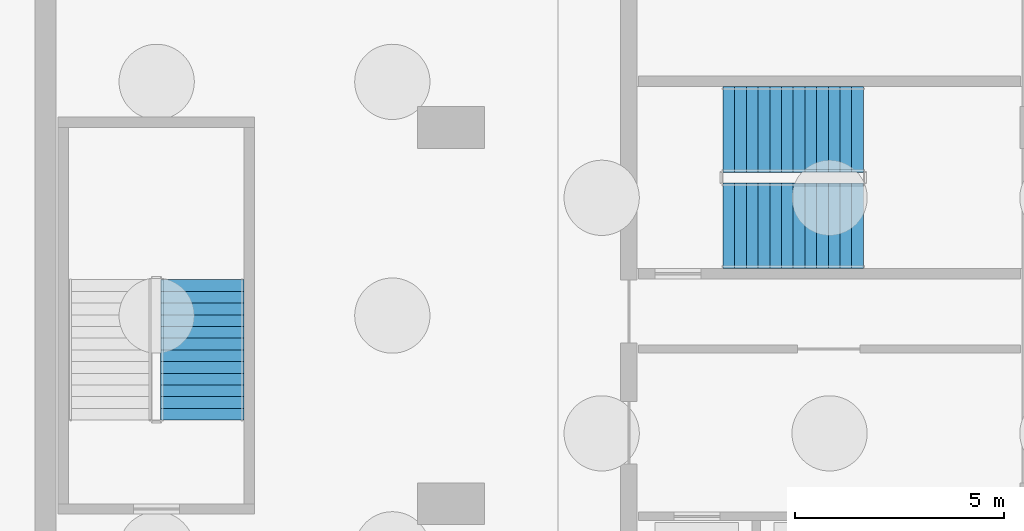
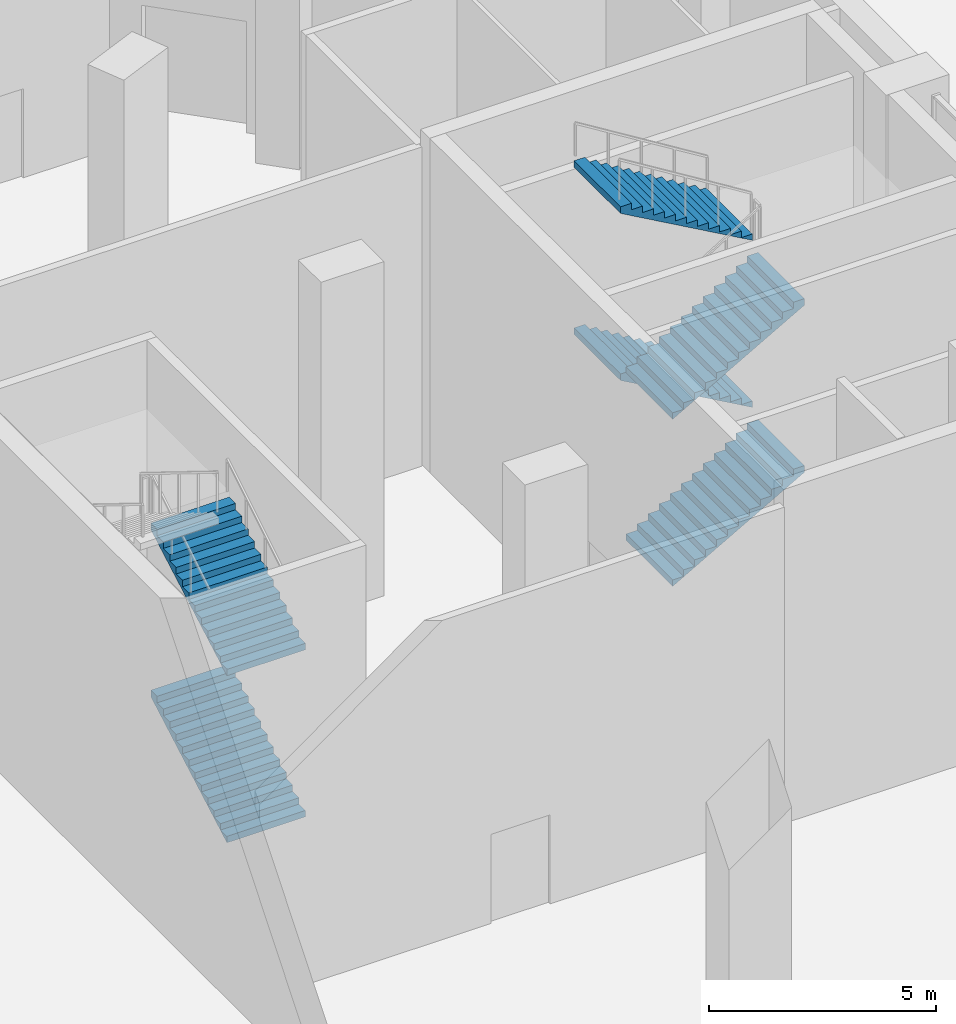
# One storey, part 18 of 25: 6 stair flights, 2 elements without a shape of their own.
"""IFC4 building model written with IfcOpenShell, lengths in metres."""

from ifc_helpers import new_model, si_unit, direction, frame, origin, place, context, subcontext, project, spatial, triangles, material, type_object, element, aggregate, save


model = new_model("IFC4")

# Units and contexts
model_context = context("Model", 3, precision=1e-05, world=origin(), true_north=direction((0.0, 1.0)))
body_context = subcontext(model_context, "Body", "Model", "MODEL_VIEW")
ifc_project = project(units=[si_unit("LENGTHUNIT", "METRE"), si_unit("AREAUNIT", "SQUARE_METRE"), si_unit("VOLUMEUNIT", "CUBIC_METRE"), si_unit("PLANEANGLEUNIT", "RADIAN"), si_unit("MASSUNIT", "GRAM", prefix="KILO")], contexts=[model_context])

# Site, building, storey
site_placement = place(None, origin())
site = spatial("IfcSite", under=ifc_project, at=site_placement, CompositionType="ELEMENT")
building_placement = place(site_placement, origin())
building = spatial("IfcBuilding", under=site, at=building_placement, Name="Cypress Arch Tower", CompositionType="ELEMENT")
storey_placement = place(building_placement, origin())
storey = spatial("IfcBuildingStorey", under=building, at=storey_placement, Name="L00", CompositionType="ELEMENT", Elevation=0.0)

# Stair, stair flights
ifc_material_1 = material(Name="Concrete C40/50", Category="concrete")
stair_type_1 = type_object("IfcStairType", Name="Exit stair ES1731-200", PredefinedType="HALF_TURN_STAIR", material=ifc_material_1)
stair_1_placement = place(storey_placement, origin())
stair_1 = element("IfcStair", 1, at=stair_1_placement, inside=storey, type_object=stair_type_1, Name="L00 Exit stair C", PredefinedType="HALF_TURN_STAIR")
ifc_material_2 = material(Name="Concrete C40/50", Category="concrete")
stair_flight_type_1 = type_object("IfcStairFlightType", Name="Exit stair flight ES1731-200", PredefinedType="STRAIGHT", material=ifc_material_2)
stair_flight_1_placement = place(storey_placement, frame((18.0, -2.5, 0.0), z_axis=(0.0, 0.0, 1.0), x_axis=(0.0, 1.0, 0.0)))
stair_flight_1 = element("IfcStairFlight", 2, at=stair_flight_1_placement, type_object=stair_flight_type_1, Name="C flight 1", NumberOfRisers=13, NumberOfTreads=12, PredefinedType="STRAIGHT", RiserHeight=0.173076923, TreadLength=0.28, context=body_context, shape_type="Tessellation", body=[
    triangles([(0.0, -1.0, 0.0), (0.00048828125, -1.0, 0.0576171875), (0.00048828125, -1.0, 0.115478515625), (0.0, -1.0, 0.173095703125), (0.280029296875, -1.0, 0.173095703125), (0.280029296875, -1.0, 0.34619140625), (0.56005859375, -1.0, 0.34619140625), (0.56005859375, -1.0, 0.519287109375), (0.840087890625, -1.0, 0.519287109375), (0.840087890625, -1.0, 0.6923828125), (1.1201171875, -1.0, 0.6923828125), (1.1201171875, -1.0, 0.865478515625), (1.39990234375, -1.0, 0.865478515625), (1.39990234375, -1.0, 1.03857421875), (1.679931640625, -1.0, 1.03857421875), (1.679931640625, -1.0, 1.21142578125), (1.9599609375, -1.0, 1.21142578125), (1.9599609375, -1.0, 1.384521484375), (2.239990234375, -1.0, 1.384521484375), (2.239990234375, -1.0, 1.5576171875), (2.52001953125, -1.0, 1.5576171875), (2.52001953125, -1.0, 1.730712890625), (2.800048828125, -1.0, 1.730712890625), (2.800048828125, -1.0, 1.90380859375), (3.080078125, -1.0, 1.90380859375), (3.080078125, -1.0, 2.076904296875), (3.360107421875, -1.0, 2.076904296875), (3.359619140625, -1.0, 2.01806640625), (3.359619140625, -1.0, 1.95947265625), (3.360107421875, -1.0, 1.900634765625), (3.360107421875, 1.0, 1.900634765625), (3.359619140625, 1.0, 1.95947265625), (3.359619140625, 1.0, 2.01806640625), (3.360107421875, 1.0, 2.076904296875), (3.080078125, 1.0, 2.076904296875), (3.080078125, 1.0, 1.90380859375), (2.800048828125, 1.0, 1.90380859375), (2.800048828125, 1.0, 1.730712890625), (2.52001953125, 1.0, 1.730712890625), (2.52001953125, 1.0, 1.5576171875), (2.239990234375, 1.0, 1.5576171875), (2.239990234375, 1.0, 1.384521484375), (1.9599609375, 1.0, 1.384521484375), (1.9599609375, 1.0, 1.21142578125), (1.679931640625, 1.0, 1.21142578125), (1.679931640625, 1.0, 1.03857421875), (1.39990234375, 1.0, 1.03857421875), (1.39990234375, 1.0, 0.865478515625), (1.1201171875, 1.0, 0.865478515625), (1.1201171875, 1.0, 0.6923828125), (0.840087890625, 1.0, 0.6923828125), (0.840087890625, 1.0, 0.519287109375), (0.56005859375, 1.0, 0.519287109375), (0.56005859375, 1.0, 0.34619140625), (0.280029296875, 1.0, 0.34619140625), (0.280029296875, 1.0, 0.173095703125), (0.0, 1.0, 0.173095703125), (0.00048828125, 1.0, 0.115478515625), (0.00048828125, 1.0, 0.0576171875), (0.0, 1.0, 0.0)], [[30, 29, 26], [29, 28, 26], [28, 27, 26], [13, 12, 11], [25, 24, 23], [23, 22, 21], [21, 20, 19], [19, 18, 17], [15, 14, 13], [11, 10, 9], [9, 8, 7], [7, 6, 5], [4, 3, 5], [3, 2, 5], [2, 1, 5], [17, 16, 15], [30, 26, 25], [30, 25, 23], [30, 23, 21], [30, 21, 19], [30, 19, 17], [1, 30, 17], [17, 15, 13], [17, 13, 11], [17, 11, 9], [17, 9, 7], [17, 7, 5], [17, 5, 1], [31, 35, 32], [32, 35, 33], [33, 35, 34], [48, 50, 49], [36, 38, 37], [38, 40, 39], [40, 42, 41], [42, 44, 43], [46, 48, 47], [50, 52, 51], [52, 54, 53], [54, 56, 55], [57, 56, 58], [58, 56, 59], [59, 56, 60], [44, 46, 45], [31, 36, 35], [31, 38, 36], [31, 40, 38], [31, 42, 40], [31, 44, 42], [60, 44, 31], [44, 48, 46], [44, 50, 48], [44, 52, 50], [44, 54, 52], [44, 56, 54], [44, 60, 56], [31, 32, 29], [31, 29, 30], [32, 33, 28], [32, 28, 29], [33, 34, 27], [33, 27, 28], [34, 35, 26], [34, 26, 27], [35, 36, 25], [35, 25, 26], [36, 37, 24], [36, 24, 25], [37, 38, 23], [37, 23, 24], [38, 39, 22], [38, 22, 23], [39, 40, 21], [39, 21, 22], [40, 41, 20], [40, 20, 21], [41, 42, 19], [41, 19, 20], [42, 43, 18], [42, 18, 19], [43, 44, 17], [43, 17, 18], [44, 45, 16], [44, 16, 17], [45, 46, 15], [45, 15, 16], [46, 47, 14], [46, 14, 15], [47, 48, 13], [47, 13, 14], [48, 49, 12], [48, 12, 13], [49, 50, 11], [49, 11, 12], [50, 51, 10], [50, 10, 11], [51, 52, 9], [51, 9, 10], [52, 53, 8], [52, 8, 9], [53, 54, 7], [53, 7, 8], [54, 55, 6], [54, 6, 7], [55, 56, 5], [55, 5, 6], [56, 57, 4], [56, 4, 5], [57, 58, 3], [57, 3, 4], [58, 59, 2], [58, 2, 3], [59, 60, 1], [59, 1, 2], [60, 31, 30], [60, 30, 1]], closed=True),
])
stair_flight_2_placement = place(storey_placement, frame((18.0, -2.5, 4.5), z_axis=(0.0, 0.0, 1.0), x_axis=(0.0, 1.0, 0.0)))
stair_flight_2 = element("IfcStairFlight", 3, at=stair_flight_2_placement, type_object=stair_flight_type_1, Name="C flight 3", NumberOfRisers=13, NumberOfTreads=12, PredefinedType="STRAIGHT", RiserHeight=0.173076923, TreadLength=0.28, context=body_context, shape_type="Tessellation", body=[
    triangles([(0.0, -1.0, 0.0), (0.00048828125, -1.0, 0.0576171875), (0.00048828125, -1.0, 0.115478515625), (0.0, -1.0, 0.173095703125), (0.280029296875, -1.0, 0.173095703125), (0.280029296875, -1.0, 0.34619140625), (0.56005859375, -1.0, 0.34619140625), (0.56005859375, -1.0, 0.519287109375), (0.840087890625, -1.0, 0.519287109375), (0.840087890625, -1.0, 0.6923828125), (1.1201171875, -1.0, 0.6923828125), (1.1201171875, -1.0, 0.865478515625), (1.39990234375, -1.0, 0.865478515625), (1.39990234375, -1.0, 1.03857421875), (1.679931640625, -1.0, 1.03857421875), (1.679931640625, -1.0, 1.21142578125), (1.9599609375, -1.0, 1.21142578125), (1.9599609375, -1.0, 1.384521484375), (2.239990234375, -1.0, 1.384521484375), (2.239990234375, -1.0, 1.5576171875), (2.52001953125, -1.0, 1.5576171875), (2.52001953125, -1.0, 1.730712890625), (2.800048828125, -1.0, 1.730712890625), (2.800048828125, -1.0, 1.90380859375), (3.080078125, -1.0, 1.90380859375), (3.080078125, -1.0, 2.076904296875), (3.360107421875, -1.0, 2.076904296875), (3.359619140625, -1.0, 2.01806640625), (3.359619140625, -1.0, 1.95947265625), (3.360107421875, -1.0, 1.900634765625), (3.360107421875, 1.0, 1.900634765625), (3.359619140625, 1.0, 1.95947265625), (3.359619140625, 1.0, 2.01806640625), (3.360107421875, 1.0, 2.076904296875), (3.080078125, 1.0, 2.076904296875), (3.080078125, 1.0, 1.90380859375), (2.800048828125, 1.0, 1.90380859375), (2.800048828125, 1.0, 1.730712890625), (2.52001953125, 1.0, 1.730712890625), (2.52001953125, 1.0, 1.5576171875), (2.239990234375, 1.0, 1.5576171875), (2.239990234375, 1.0, 1.384521484375), (1.9599609375, 1.0, 1.384521484375), (1.9599609375, 1.0, 1.21142578125), (1.679931640625, 1.0, 1.21142578125), (1.679931640625, 1.0, 1.03857421875), (1.39990234375, 1.0, 1.03857421875), (1.39990234375, 1.0, 0.865478515625), (1.1201171875, 1.0, 0.865478515625), (1.1201171875, 1.0, 0.6923828125), (0.840087890625, 1.0, 0.6923828125), (0.840087890625, 1.0, 0.519287109375), (0.56005859375, 1.0, 0.519287109375), (0.56005859375, 1.0, 0.34619140625), (0.280029296875, 1.0, 0.34619140625), (0.280029296875, 1.0, 0.173095703125), (0.0, 1.0, 0.173095703125), (0.00048828125, 1.0, 0.115478515625), (0.00048828125, 1.0, 0.0576171875), (0.0, 1.0, 0.0)], [[30, 29, 26], [29, 28, 26], [28, 27, 26], [13, 12, 11], [25, 24, 23], [23, 22, 21], [21, 20, 19], [19, 18, 17], [15, 14, 13], [11, 10, 9], [9, 8, 7], [7, 6, 5], [4, 3, 5], [3, 2, 5], [2, 1, 5], [17, 16, 15], [30, 26, 25], [30, 25, 23], [30, 23, 21], [30, 21, 19], [30, 19, 17], [1, 30, 17], [17, 15, 13], [17, 13, 11], [17, 11, 9], [17, 9, 7], [17, 7, 5], [17, 5, 1], [31, 35, 32], [32, 35, 33], [33, 35, 34], [48, 50, 49], [36, 38, 37], [38, 40, 39], [40, 42, 41], [42, 44, 43], [46, 48, 47], [50, 52, 51], [52, 54, 53], [54, 56, 55], [57, 56, 58], [58, 56, 59], [59, 56, 60], [44, 46, 45], [31, 36, 35], [31, 38, 36], [31, 40, 38], [31, 42, 40], [31, 44, 42], [60, 44, 31], [44, 48, 46], [44, 50, 48], [44, 52, 50], [44, 54, 52], [44, 56, 54], [44, 60, 56], [31, 32, 29], [31, 29, 30], [32, 33, 28], [32, 28, 29], [33, 34, 27], [33, 27, 28], [34, 35, 26], [34, 26, 27], [35, 36, 25], [35, 25, 26], [36, 37, 24], [36, 24, 25], [37, 38, 23], [37, 23, 24], [38, 39, 22], [38, 22, 23], [39, 40, 21], [39, 21, 22], [40, 41, 20], [40, 20, 21], [41, 42, 19], [41, 19, 20], [42, 43, 18], [42, 18, 19], [43, 44, 17], [43, 17, 18], [44, 45, 16], [44, 16, 17], [45, 46, 15], [45, 15, 16], [46, 47, 14], [46, 14, 15], [47, 48, 13], [47, 13, 14], [48, 49, 12], [48, 12, 13], [49, 50, 11], [49, 11, 12], [50, 51, 10], [50, 10, 11], [51, 52, 9], [51, 9, 10], [52, 53, 8], [52, 8, 9], [53, 54, 7], [53, 7, 8], [54, 55, 6], [54, 6, 7], [55, 56, 5], [55, 5, 6], [56, 57, 4], [56, 4, 5], [57, 58, 3], [57, 3, 4], [58, 59, 2], [58, 2, 3], [59, 60, 1], [59, 1, 2], [60, 31, 30], [60, 30, 1]], closed=True),
])
aggregate(stair_1, [stair_flight_1, stair_flight_2])

ifc_material_3 = material(Name="Concrete C40/50", Category="concrete")
stair_type_2 = type_object("IfcStairType", Name="Exit stair ES1731-205", PredefinedType="HALF_TURN_STAIR", material=ifc_material_3)
stair_2_placement = place(storey_placement, origin())
stair_2 = element("IfcStair", 4, at=stair_2_placement, inside=storey, type_object=stair_type_2, Name="L00 Exit stair P3", PredefinedType="HALF_TURN_STAIR")
ifc_material_4 = material(Name="Concrete C40/50", Category="concrete")
stair_flight_type_2 = type_object("IfcStairFlightType", Name="Exit stair flight ES1731-205", PredefinedType="STRAIGHT", material=ifc_material_4)
stair_flight_3_placement = place(storey_placement, frame((30.449951171875, 2.14990234375, 0.0), z_axis=(0.0, 0.0, 1.0), x_axis=(1.0, 0.0, 0.0)))
stair_flight_3 = element("IfcStairFlight", 5, at=stair_flight_3_placement, type_object=stair_flight_type_2, Name="P3 flight 1", NumberOfRisers=13, NumberOfTreads=12, PredefinedType="STRAIGHT", RiserHeight=0.173076923, TreadLength=0.28, context=body_context, shape_type="Tessellation", body=[
    triangles([(0.0, -1.02490234375, 0.0), (0.000244140625, -1.02490234375, 0.03466796875), (0.00048828125, -1.02490234375, 0.0693359375), (0.00048828125, -1.02490234375, 0.103759765625), (0.000244140625, -1.02490234375, 0.138427734375), (0.0, -1.02490234375, 0.173095703125), (0.280029296875, -1.02490234375, 0.173095703125), (0.280029296875, -1.02490234375, 0.34619140625), (0.56005859375, -1.02490234375, 0.34619140625), (0.56005859375, -1.02490234375, 0.519287109375), (0.840087890625, -1.02490234375, 0.519287109375), (0.840087890625, -1.02490234375, 0.6923828125), (1.1201171875, -1.02490234375, 0.6923828125), (1.1201171875, -1.02490234375, 0.865478515625), (1.39990234375, -1.02490234375, 0.865478515625), (1.39990234375, -1.02490234375, 1.03857421875), (1.679931640625, -1.02490234375, 1.03857421875), (1.679931640625, -1.02490234375, 1.21142578125), (1.9599609375, -1.02490234375, 1.21142578125), (1.9599609375, -1.02490234375, 1.384521484375), (2.239990234375, -1.02490234375, 1.384521484375), (2.239990234375, -1.02490234375, 1.5576171875), (2.52001953125, -1.02490234375, 1.5576171875), (2.52001953125, -1.02490234375, 1.730712890625), (2.800048828125, -1.02490234375, 1.730712890625), (2.800048828125, -1.02490234375, 1.90380859375), (3.080078125, -1.02490234375, 1.90380859375), (3.080078125, -1.02490234375, 2.076904296875), (3.360107421875, -1.02490234375, 2.076904296875), (3.35986328125, -1.02490234375, 2.041748046875), (3.359619140625, -1.02490234375, 2.00634765625), (3.359619140625, -1.02490234375, 1.97119140625), (3.35986328125, -1.02490234375, 1.935791015625), (3.360107421875, -1.02490234375, 1.900634765625), (3.360107421875, 1.02490234375, 1.900634765625), (3.35986328125, 1.02490234375, 1.935791015625), (3.359619140625, 1.02490234375, 1.97119140625), (3.359619140625, 1.02490234375, 2.00634765625), (3.35986328125, 1.02490234375, 2.041748046875), (3.360107421875, 1.02490234375, 2.076904296875), (3.080078125, 1.02490234375, 2.076904296875), (3.080078125, 1.02490234375, 1.90380859375), (2.800048828125, 1.02490234375, 1.90380859375), (2.800048828125, 1.02490234375, 1.730712890625), (2.52001953125, 1.02490234375, 1.730712890625), (2.52001953125, 1.02490234375, 1.5576171875), (2.239990234375, 1.02490234375, 1.5576171875), (2.239990234375, 1.02490234375, 1.384521484375), (1.9599609375, 1.02490234375, 1.384521484375), (1.9599609375, 1.02490234375, 1.21142578125), (1.679931640625, 1.02490234375, 1.21142578125), (1.679931640625, 1.02490234375, 1.03857421875), (1.39990234375, 1.02490234375, 1.03857421875), (1.39990234375, 1.02490234375, 0.865478515625), (1.1201171875, 1.02490234375, 0.865478515625), (1.1201171875, 1.02490234375, 0.6923828125), (0.840087890625, 1.02490234375, 0.6923828125), (0.840087890625, 1.02490234375, 0.519287109375), (0.56005859375, 1.02490234375, 0.519287109375), (0.56005859375, 1.02490234375, 0.34619140625), (0.280029296875, 1.02490234375, 0.34619140625), (0.280029296875, 1.02490234375, 0.173095703125), (0.0, 1.02490234375, 0.173095703125), (0.000244140625, 1.02490234375, 0.138427734375), (0.00048828125, 1.02490234375, 0.103759765625), (0.00048828125, 1.02490234375, 0.0693359375), (0.000244140625, 1.02490234375, 0.03466796875), (0.0, 1.02490234375, 0.0)], [[34, 33, 28], [33, 32, 28], [32, 31, 28], [31, 30, 28], [30, 29, 28], [15, 14, 13], [27, 26, 25], [25, 24, 23], [23, 22, 21], [21, 20, 19], [17, 16, 15], [13, 12, 11], [11, 10, 9], [9, 8, 7], [6, 5, 7], [5, 4, 7], [4, 3, 7], [3, 2, 7], [2, 1, 7], [19, 18, 17], [34, 28, 27], [34, 27, 25], [34, 25, 23], [34, 23, 21], [34, 21, 19], [1, 34, 19], [19, 17, 15], [19, 15, 13], [19, 13, 11], [19, 11, 9], [19, 9, 7], [19, 7, 1], [35, 41, 36], [36, 41, 37], [37, 41, 38], [38, 41, 39], [39, 41, 40], [54, 56, 55], [42, 44, 43], [44, 46, 45], [46, 48, 47], [48, 50, 49], [52, 54, 53], [56, 58, 57], [58, 60, 59], [60, 62, 61], [63, 62, 64], [64, 62, 65], [65, 62, 66], [66, 62, 67], [67, 62, 68], [50, 52, 51], [35, 42, 41], [35, 44, 42], [35, 46, 44], [35, 48, 46], [35, 50, 48], [68, 50, 35], [50, 54, 52], [50, 56, 54], [50, 58, 56], [50, 60, 58], [50, 62, 60], [50, 68, 62], [35, 36, 33], [35, 33, 34], [36, 37, 32], [36, 32, 33], [37, 38, 31], [37, 31, 32], [38, 39, 30], [38, 30, 31], [39, 40, 29], [39, 29, 30], [40, 41, 28], [40, 28, 29], [41, 42, 27], [41, 27, 28], [42, 43, 26], [42, 26, 27], [43, 44, 25], [43, 25, 26], [44, 45, 24], [44, 24, 25], [45, 46, 23], [45, 23, 24], [46, 47, 22], [46, 22, 23], [47, 48, 21], [47, 21, 22], [48, 49, 20], [48, 20, 21], [49, 50, 19], [49, 19, 20], [50, 51, 18], [50, 18, 19], [51, 52, 17], [51, 17, 18], [52, 53, 16], [52, 16, 17], [53, 54, 15], [53, 15, 16], [54, 55, 14], [54, 14, 15], [55, 56, 13], [55, 13, 14], [56, 57, 12], [56, 12, 13], [57, 58, 11], [57, 11, 12], [58, 59, 10], [58, 10, 11], [59, 60, 9], [59, 9, 10], [60, 61, 8], [60, 8, 9], [61, 62, 7], [61, 7, 8], [62, 63, 6], [62, 6, 7], [63, 64, 5], [63, 5, 6], [64, 65, 4], [64, 4, 5], [65, 66, 3], [65, 3, 4], [66, 67, 2], [66, 2, 3], [67, 68, 1], [67, 1, 2], [68, 35, 34], [68, 34, 1]], closed=True),
])
stair_flight_4_placement = place(storey_placement, frame((33.81005859375, 4.449951171875, 2.25), z_axis=(0.0, 0.0, 1.0), x_axis=(-1.0, 0.0, 0.0)))
stair_flight_4 = element("IfcStairFlight", 6, at=stair_flight_4_placement, type_object=stair_flight_type_2, Name="P3 flight 2", NumberOfRisers=13, NumberOfTreads=12, PredefinedType="STRAIGHT", RiserHeight=0.173076923, TreadLength=0.28, context=body_context, shape_type="Tessellation", body=[
    triangles([(0.0, -1.02490234375, 0.0), (0.000244140625, -1.02490234375, 0.03466796875), (0.00048828125, -1.02490234375, 0.0693359375), (0.00048828125, -1.02490234375, 0.103759765625), (0.000244140625, -1.02490234375, 0.138427734375), (0.0, -1.02490234375, 0.173095703125), (0.280029296875, -1.02490234375, 0.173095703125), (0.280029296875, -1.02490234375, 0.34619140625), (0.56005859375, -1.02490234375, 0.34619140625), (0.56005859375, -1.02490234375, 0.519287109375), (0.840087890625, -1.02490234375, 0.519287109375), (0.840087890625, -1.02490234375, 0.6923828125), (1.1201171875, -1.02490234375, 0.6923828125), (1.1201171875, -1.02490234375, 0.865478515625), (1.39990234375, -1.02490234375, 0.865478515625), (1.39990234375, -1.02490234375, 1.03857421875), (1.679931640625, -1.02490234375, 1.03857421875), (1.679931640625, -1.02490234375, 1.21142578125), (1.9599609375, -1.02490234375, 1.21142578125), (1.9599609375, -1.02490234375, 1.384521484375), (2.239990234375, -1.02490234375, 1.384521484375), (2.239990234375, -1.02490234375, 1.5576171875), (2.52001953125, -1.02490234375, 1.5576171875), (2.52001953125, -1.02490234375, 1.730712890625), (2.800048828125, -1.02490234375, 1.730712890625), (2.800048828125, -1.02490234375, 1.90380859375), (3.080078125, -1.02490234375, 1.90380859375), (3.080078125, -1.02490234375, 2.076904296875), (3.360107421875, -1.02490234375, 2.076904296875), (3.35986328125, -1.02490234375, 2.041748046875), (3.359619140625, -1.02490234375, 2.00634765625), (3.359619140625, -1.02490234375, 1.97119140625), (3.35986328125, -1.02490234375, 1.935791015625), (3.360107421875, -1.02490234375, 1.900634765625), (3.360107421875, 1.02490234375, 1.900634765625), (3.35986328125, 1.02490234375, 1.935791015625), (3.359619140625, 1.02490234375, 1.97119140625), (3.359619140625, 1.02490234375, 2.00634765625), (3.35986328125, 1.02490234375, 2.041748046875), (3.360107421875, 1.02490234375, 2.076904296875), (3.080078125, 1.02490234375, 2.076904296875), (3.080078125, 1.02490234375, 1.90380859375), (2.800048828125, 1.02490234375, 1.90380859375), (2.800048828125, 1.02490234375, 1.730712890625), (2.52001953125, 1.02490234375, 1.730712890625), (2.52001953125, 1.02490234375, 1.5576171875), (2.239990234375, 1.02490234375, 1.5576171875), (2.239990234375, 1.02490234375, 1.384521484375), (1.9599609375, 1.02490234375, 1.384521484375), (1.9599609375, 1.02490234375, 1.21142578125), (1.679931640625, 1.02490234375, 1.21142578125), (1.679931640625, 1.02490234375, 1.03857421875), (1.39990234375, 1.02490234375, 1.03857421875), (1.39990234375, 1.02490234375, 0.865478515625), (1.1201171875, 1.02490234375, 0.865478515625), (1.1201171875, 1.02490234375, 0.6923828125), (0.840087890625, 1.02490234375, 0.6923828125), (0.840087890625, 1.02490234375, 0.519287109375), (0.56005859375, 1.02490234375, 0.519287109375), (0.56005859375, 1.02490234375, 0.34619140625), (0.280029296875, 1.02490234375, 0.34619140625), (0.280029296875, 1.02490234375, 0.173095703125), (0.0, 1.02490234375, 0.173095703125), (0.000244140625, 1.02490234375, 0.138427734375), (0.00048828125, 1.02490234375, 0.103759765625), (0.00048828125, 1.02490234375, 0.0693359375), (0.000244140625, 1.02490234375, 0.03466796875), (0.0, 1.02490234375, 0.0)], [[34, 33, 28], [33, 32, 28], [32, 31, 28], [31, 30, 28], [30, 29, 28], [15, 14, 13], [27, 26, 25], [25, 24, 23], [23, 22, 21], [21, 20, 19], [17, 16, 15], [13, 12, 11], [11, 10, 9], [9, 8, 7], [6, 5, 7], [5, 4, 7], [4, 3, 7], [3, 2, 7], [2, 1, 7], [19, 18, 17], [34, 28, 27], [34, 27, 25], [34, 25, 23], [34, 23, 21], [34, 21, 19], [1, 34, 19], [19, 17, 15], [19, 15, 13], [19, 13, 11], [19, 11, 9], [19, 9, 7], [19, 7, 1], [35, 41, 36], [36, 41, 37], [37, 41, 38], [38, 41, 39], [39, 41, 40], [54, 56, 55], [42, 44, 43], [44, 46, 45], [46, 48, 47], [48, 50, 49], [52, 54, 53], [56, 58, 57], [58, 60, 59], [60, 62, 61], [63, 62, 64], [64, 62, 65], [65, 62, 66], [66, 62, 67], [67, 62, 68], [50, 52, 51], [35, 42, 41], [35, 44, 42], [35, 46, 44], [35, 48, 46], [35, 50, 48], [68, 50, 35], [50, 54, 52], [50, 56, 54], [50, 58, 56], [50, 60, 58], [50, 62, 60], [50, 68, 62], [35, 36, 33], [35, 33, 34], [36, 37, 32], [36, 32, 33], [37, 38, 31], [37, 31, 32], [38, 39, 30], [38, 30, 31], [39, 40, 29], [39, 29, 30], [40, 41, 28], [40, 28, 29], [41, 42, 27], [41, 27, 28], [42, 43, 26], [42, 26, 27], [43, 44, 25], [43, 25, 26], [44, 45, 24], [44, 24, 25], [45, 46, 23], [45, 23, 24], [46, 47, 22], [46, 22, 23], [47, 48, 21], [47, 21, 22], [48, 49, 20], [48, 20, 21], [49, 50, 19], [49, 19, 20], [50, 51, 18], [50, 18, 19], [51, 52, 17], [51, 17, 18], [52, 53, 16], [52, 16, 17], [53, 54, 15], [53, 15, 16], [54, 55, 14], [54, 14, 15], [55, 56, 13], [55, 13, 14], [56, 57, 12], [56, 12, 13], [57, 58, 11], [57, 11, 12], [58, 59, 10], [58, 10, 11], [59, 60, 9], [59, 9, 10], [60, 61, 8], [60, 8, 9], [61, 62, 7], [61, 7, 8], [62, 63, 6], [62, 6, 7], [63, 64, 5], [63, 5, 6], [64, 65, 4], [64, 4, 5], [65, 66, 3], [65, 3, 4], [66, 67, 2], [66, 2, 3], [67, 68, 1], [67, 1, 2], [68, 35, 34], [68, 34, 1]], closed=True),
])
stair_flight_5_placement = place(storey_placement, frame((30.449951171875, 2.14990234375, 4.5), z_axis=(0.0, 0.0, 1.0), x_axis=(1.0, 0.0, 0.0)))
stair_flight_5 = element("IfcStairFlight", 7, at=stair_flight_5_placement, type_object=stair_flight_type_2, Name="P3 flight 3", NumberOfRisers=13, NumberOfTreads=12, PredefinedType="STRAIGHT", RiserHeight=0.173076923, TreadLength=0.28, context=body_context, shape_type="Tessellation", body=[
    triangles([(0.0, -1.02490234375, 0.0), (0.000244140625, -1.02490234375, 0.03466796875), (0.00048828125, -1.02490234375, 0.0693359375), (0.00048828125, -1.02490234375, 0.103759765625), (0.000244140625, -1.02490234375, 0.138427734375), (0.0, -1.02490234375, 0.173095703125), (0.280029296875, -1.02490234375, 0.173095703125), (0.280029296875, -1.02490234375, 0.34619140625), (0.56005859375, -1.02490234375, 0.34619140625), (0.56005859375, -1.02490234375, 0.519287109375), (0.840087890625, -1.02490234375, 0.519287109375), (0.840087890625, -1.02490234375, 0.6923828125), (1.1201171875, -1.02490234375, 0.6923828125), (1.1201171875, -1.02490234375, 0.865478515625), (1.39990234375, -1.02490234375, 0.865478515625), (1.39990234375, -1.02490234375, 1.03857421875), (1.679931640625, -1.02490234375, 1.03857421875), (1.679931640625, -1.02490234375, 1.21142578125), (1.9599609375, -1.02490234375, 1.21142578125), (1.9599609375, -1.02490234375, 1.384521484375), (2.239990234375, -1.02490234375, 1.384521484375), (2.239990234375, -1.02490234375, 1.5576171875), (2.52001953125, -1.02490234375, 1.5576171875), (2.52001953125, -1.02490234375, 1.730712890625), (2.800048828125, -1.02490234375, 1.730712890625), (2.800048828125, -1.02490234375, 1.90380859375), (3.080078125, -1.02490234375, 1.90380859375), (3.080078125, -1.02490234375, 2.076904296875), (3.360107421875, -1.02490234375, 2.076904296875), (3.35986328125, -1.02490234375, 2.041748046875), (3.359619140625, -1.02490234375, 2.00634765625), (3.359619140625, -1.02490234375, 1.97119140625), (3.35986328125, -1.02490234375, 1.935791015625), (3.360107421875, -1.02490234375, 1.900634765625), (3.360107421875, 1.02490234375, 1.900634765625), (3.35986328125, 1.02490234375, 1.935791015625), (3.359619140625, 1.02490234375, 1.97119140625), (3.359619140625, 1.02490234375, 2.00634765625), (3.35986328125, 1.02490234375, 2.041748046875), (3.360107421875, 1.02490234375, 2.076904296875), (3.080078125, 1.02490234375, 2.076904296875), (3.080078125, 1.02490234375, 1.90380859375), (2.800048828125, 1.02490234375, 1.90380859375), (2.800048828125, 1.02490234375, 1.730712890625), (2.52001953125, 1.02490234375, 1.730712890625), (2.52001953125, 1.02490234375, 1.5576171875), (2.239990234375, 1.02490234375, 1.5576171875), (2.239990234375, 1.02490234375, 1.384521484375), (1.9599609375, 1.02490234375, 1.384521484375), (1.9599609375, 1.02490234375, 1.21142578125), (1.679931640625, 1.02490234375, 1.21142578125), (1.679931640625, 1.02490234375, 1.03857421875), (1.39990234375, 1.02490234375, 1.03857421875), (1.39990234375, 1.02490234375, 0.865478515625), (1.1201171875, 1.02490234375, 0.865478515625), (1.1201171875, 1.02490234375, 0.6923828125), (0.840087890625, 1.02490234375, 0.6923828125), (0.840087890625, 1.02490234375, 0.519287109375), (0.56005859375, 1.02490234375, 0.519287109375), (0.56005859375, 1.02490234375, 0.34619140625), (0.280029296875, 1.02490234375, 0.34619140625), (0.280029296875, 1.02490234375, 0.173095703125), (0.0, 1.02490234375, 0.173095703125), (0.000244140625, 1.02490234375, 0.138427734375), (0.00048828125, 1.02490234375, 0.103759765625), (0.00048828125, 1.02490234375, 0.0693359375), (0.000244140625, 1.02490234375, 0.03466796875), (0.0, 1.02490234375, 0.0)], [[34, 33, 28], [33, 32, 28], [32, 31, 28], [31, 30, 28], [30, 29, 28], [15, 14, 13], [27, 26, 25], [25, 24, 23], [23, 22, 21], [21, 20, 19], [17, 16, 15], [13, 12, 11], [11, 10, 9], [9, 8, 7], [6, 5, 7], [5, 4, 7], [4, 3, 7], [3, 2, 7], [2, 1, 7], [19, 18, 17], [34, 28, 27], [34, 27, 25], [34, 25, 23], [34, 23, 21], [34, 21, 19], [1, 34, 19], [19, 17, 15], [19, 15, 13], [19, 13, 11], [19, 11, 9], [19, 9, 7], [19, 7, 1], [35, 41, 36], [36, 41, 37], [37, 41, 38], [38, 41, 39], [39, 41, 40], [54, 56, 55], [42, 44, 43], [44, 46, 45], [46, 48, 47], [48, 50, 49], [52, 54, 53], [56, 58, 57], [58, 60, 59], [60, 62, 61], [63, 62, 64], [64, 62, 65], [65, 62, 66], [66, 62, 67], [67, 62, 68], [50, 52, 51], [35, 42, 41], [35, 44, 42], [35, 46, 44], [35, 48, 46], [35, 50, 48], [68, 50, 35], [50, 54, 52], [50, 56, 54], [50, 58, 56], [50, 60, 58], [50, 62, 60], [50, 68, 62], [35, 36, 33], [35, 33, 34], [36, 37, 32], [36, 32, 33], [37, 38, 31], [37, 31, 32], [38, 39, 30], [38, 30, 31], [39, 40, 29], [39, 29, 30], [40, 41, 28], [40, 28, 29], [41, 42, 27], [41, 27, 28], [42, 43, 26], [42, 26, 27], [43, 44, 25], [43, 25, 26], [44, 45, 24], [44, 24, 25], [45, 46, 23], [45, 23, 24], [46, 47, 22], [46, 22, 23], [47, 48, 21], [47, 21, 22], [48, 49, 20], [48, 20, 21], [49, 50, 19], [49, 19, 20], [50, 51, 18], [50, 18, 19], [51, 52, 17], [51, 17, 18], [52, 53, 16], [52, 16, 17], [53, 54, 15], [53, 15, 16], [54, 55, 14], [54, 14, 15], [55, 56, 13], [55, 13, 14], [56, 57, 12], [56, 12, 13], [57, 58, 11], [57, 11, 12], [58, 59, 10], [58, 10, 11], [59, 60, 9], [59, 9, 10], [60, 61, 8], [60, 8, 9], [61, 62, 7], [61, 7, 8], [62, 63, 6], [62, 6, 7], [63, 64, 5], [63, 5, 6], [64, 65, 4], [64, 4, 5], [65, 66, 3], [65, 3, 4], [66, 67, 2], [66, 2, 3], [67, 68, 1], [67, 1, 2], [68, 35, 34], [68, 34, 1]], closed=True),
])
stair_flight_6_placement = place(storey_placement, frame((33.81005859375, 4.449951171875, 6.75), z_axis=(0.0, 0.0, 1.0), x_axis=(-1.0, 0.0, 0.0)))
stair_flight_6 = element("IfcStairFlight", 8, at=stair_flight_6_placement, type_object=stair_flight_type_2, Name="P3 flight 4", NumberOfRisers=13, NumberOfTreads=12, PredefinedType="STRAIGHT", RiserHeight=0.173076923, TreadLength=0.28, context=body_context, shape_type="Tessellation", body=[
    triangles([(0.0, -1.02490234375, 0.0), (0.000244140625, -1.02490234375, 0.03466796875), (0.00048828125, -1.02490234375, 0.0693359375), (0.00048828125, -1.02490234375, 0.103759765625), (0.000244140625, -1.02490234375, 0.138427734375), (0.0, -1.02490234375, 0.173095703125), (0.280029296875, -1.02490234375, 0.173095703125), (0.280029296875, -1.02490234375, 0.34619140625), (0.56005859375, -1.02490234375, 0.34619140625), (0.56005859375, -1.02490234375, 0.519287109375), (0.840087890625, -1.02490234375, 0.519287109375), (0.840087890625, -1.02490234375, 0.6923828125), (1.1201171875, -1.02490234375, 0.6923828125), (1.1201171875, -1.02490234375, 0.865478515625), (1.39990234375, -1.02490234375, 0.865478515625), (1.39990234375, -1.02490234375, 1.03857421875), (1.679931640625, -1.02490234375, 1.03857421875), (1.679931640625, -1.02490234375, 1.21142578125), (1.9599609375, -1.02490234375, 1.21142578125), (1.9599609375, -1.02490234375, 1.384521484375), (2.239990234375, -1.02490234375, 1.384521484375), (2.239990234375, -1.02490234375, 1.5576171875), (2.52001953125, -1.02490234375, 1.5576171875), (2.52001953125, -1.02490234375, 1.730712890625), (2.800048828125, -1.02490234375, 1.730712890625), (2.800048828125, -1.02490234375, 1.90380859375), (3.080078125, -1.02490234375, 1.90380859375), (3.080078125, -1.02490234375, 2.076904296875), (3.360107421875, -1.02490234375, 2.076904296875), (3.35986328125, -1.02490234375, 2.041748046875), (3.359619140625, -1.02490234375, 2.00634765625), (3.359619140625, -1.02490234375, 1.97119140625), (3.35986328125, -1.02490234375, 1.935791015625), (3.360107421875, -1.02490234375, 1.900634765625), (3.360107421875, 1.02490234375, 1.900634765625), (3.35986328125, 1.02490234375, 1.935791015625), (3.359619140625, 1.02490234375, 1.97119140625), (3.359619140625, 1.02490234375, 2.00634765625), (3.35986328125, 1.02490234375, 2.041748046875), (3.360107421875, 1.02490234375, 2.076904296875), (3.080078125, 1.02490234375, 2.076904296875), (3.080078125, 1.02490234375, 1.90380859375), (2.800048828125, 1.02490234375, 1.90380859375), (2.800048828125, 1.02490234375, 1.730712890625), (2.52001953125, 1.02490234375, 1.730712890625), (2.52001953125, 1.02490234375, 1.5576171875), (2.239990234375, 1.02490234375, 1.5576171875), (2.239990234375, 1.02490234375, 1.384521484375), (1.9599609375, 1.02490234375, 1.384521484375), (1.9599609375, 1.02490234375, 1.21142578125), (1.679931640625, 1.02490234375, 1.21142578125), (1.679931640625, 1.02490234375, 1.03857421875), (1.39990234375, 1.02490234375, 1.03857421875), (1.39990234375, 1.02490234375, 0.865478515625), (1.1201171875, 1.02490234375, 0.865478515625), (1.1201171875, 1.02490234375, 0.6923828125), (0.840087890625, 1.02490234375, 0.6923828125), (0.840087890625, 1.02490234375, 0.519287109375), (0.56005859375, 1.02490234375, 0.519287109375), (0.56005859375, 1.02490234375, 0.34619140625), (0.280029296875, 1.02490234375, 0.34619140625), (0.280029296875, 1.02490234375, 0.173095703125), (0.0, 1.02490234375, 0.173095703125), (0.000244140625, 1.02490234375, 0.138427734375), (0.00048828125, 1.02490234375, 0.103759765625), (0.00048828125, 1.02490234375, 0.0693359375), (0.000244140625, 1.02490234375, 0.03466796875), (0.0, 1.02490234375, 0.0)], [[34, 33, 28], [33, 32, 28], [32, 31, 28], [31, 30, 28], [30, 29, 28], [15, 14, 13], [27, 26, 25], [25, 24, 23], [23, 22, 21], [21, 20, 19], [17, 16, 15], [13, 12, 11], [11, 10, 9], [9, 8, 7], [6, 5, 7], [5, 4, 7], [4, 3, 7], [3, 2, 7], [2, 1, 7], [19, 18, 17], [34, 28, 27], [34, 27, 25], [34, 25, 23], [34, 23, 21], [34, 21, 19], [1, 34, 19], [19, 17, 15], [19, 15, 13], [19, 13, 11], [19, 11, 9], [19, 9, 7], [19, 7, 1], [35, 41, 36], [36, 41, 37], [37, 41, 38], [38, 41, 39], [39, 41, 40], [54, 56, 55], [42, 44, 43], [44, 46, 45], [46, 48, 47], [48, 50, 49], [52, 54, 53], [56, 58, 57], [58, 60, 59], [60, 62, 61], [63, 62, 64], [64, 62, 65], [65, 62, 66], [66, 62, 67], [67, 62, 68], [50, 52, 51], [35, 42, 41], [35, 44, 42], [35, 46, 44], [35, 48, 46], [35, 50, 48], [68, 50, 35], [50, 54, 52], [50, 56, 54], [50, 58, 56], [50, 60, 58], [50, 62, 60], [50, 68, 62], [35, 36, 33], [35, 33, 34], [36, 37, 32], [36, 32, 33], [37, 38, 31], [37, 31, 32], [38, 39, 30], [38, 30, 31], [39, 40, 29], [39, 29, 30], [40, 41, 28], [40, 28, 29], [41, 42, 27], [41, 27, 28], [42, 43, 26], [42, 26, 27], [43, 44, 25], [43, 25, 26], [44, 45, 24], [44, 24, 25], [45, 46, 23], [45, 23, 24], [46, 47, 22], [46, 22, 23], [47, 48, 21], [47, 21, 22], [48, 49, 20], [48, 20, 21], [49, 50, 19], [49, 19, 20], [50, 51, 18], [50, 18, 19], [51, 52, 17], [51, 17, 18], [52, 53, 16], [52, 16, 17], [53, 54, 15], [53, 15, 16], [54, 55, 14], [54, 14, 15], [55, 56, 13], [55, 13, 14], [56, 57, 12], [56, 12, 13], [57, 58, 11], [57, 11, 12], [58, 59, 10], [58, 10, 11], [59, 60, 9], [59, 9, 10], [60, 61, 8], [60, 8, 9], [61, 62, 7], [61, 7, 8], [62, 63, 6], [62, 6, 7], [63, 64, 5], [63, 5, 6], [64, 65, 4], [64, 4, 5], [65, 66, 3], [65, 3, 4], [66, 67, 2], [66, 2, 3], [67, 68, 1], [67, 1, 2], [68, 35, 34], [68, 34, 1]], closed=True),
])
aggregate(stair_2, [stair_flight_3, stair_flight_4, stair_flight_5, stair_flight_6])

save(model, "model.ifc")
